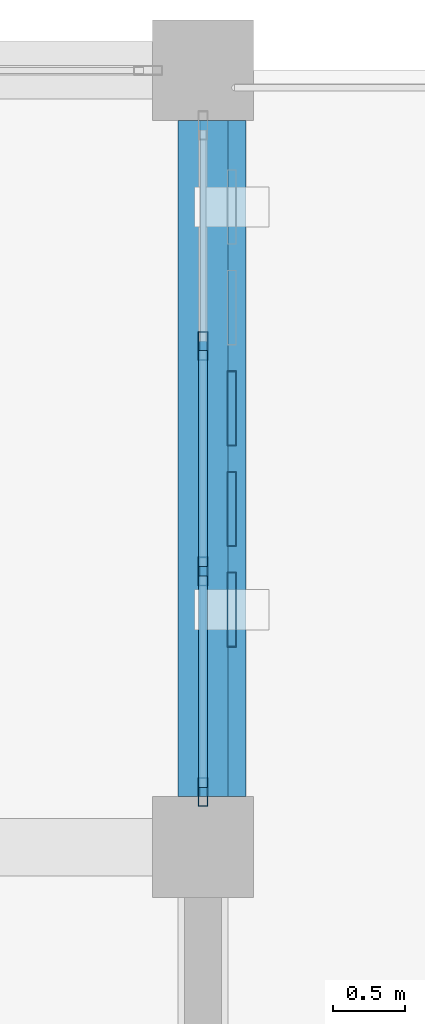
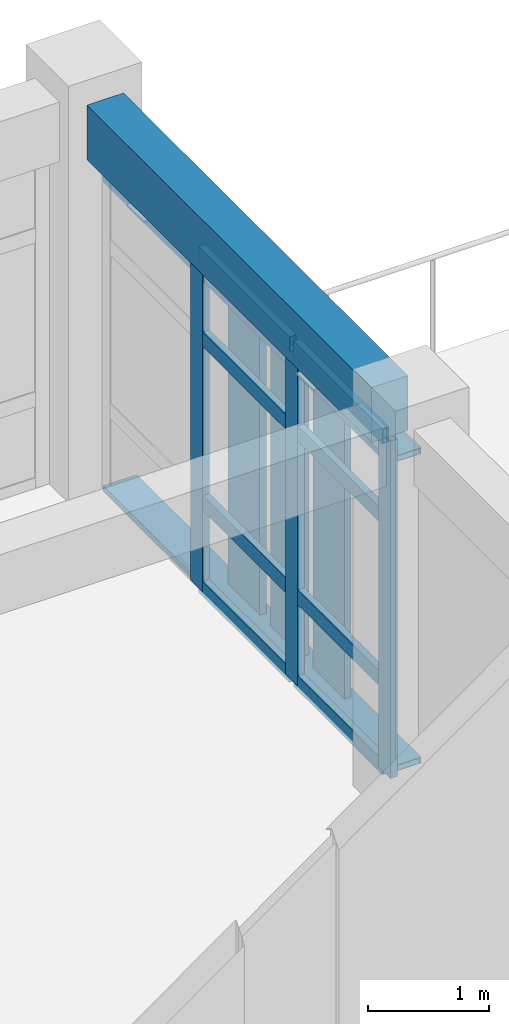
# One storey, part 12 of 22: 16 members, 1 beam, 1 element without a shape of its own.
"""IFC4 building model written with IfcOpenShell, lengths in metres."""

import ifcopenshell
import ifcopenshell.guid

model = None  # the IFC model being written
_history = None  # IfcOwnerHistory: only IFC2X3 demands one
_inside = {}  # id of a spatial element -> (the spatial element, [elements in it])
_under = {}  # id of a project, library or spatial element -> (it, [spatial elements below it])
_declared = {}  # id of a project -> (the project, [libraries it declares])
_typed = {}  # id of a type object -> (the type object, [elements of that type])
_made_of = {}  # id of a material, layer set ... -> (it, [elements and type objects made of it])


def new_model(schema):
    """Start an empty IFC model of exactly this schema.

    Asked for "IFC4X3", IfcOpenShell would pick the latest addendum, in which some entities
    have other attributes; the version numbers below select the first issue.
    IFC2X3 requires an IfcOwnerHistory on every rooted entity: one is made here for all.
    """
    global model, _history
    if schema == "IFC4X3":
        model = ifcopenshell.file(schema_version=(4, 3, 0, 0))
    else:
        model = ifcopenshell.file(schema=schema)
    _inside.clear()
    _under.clear()
    _declared.clear()
    _typed.clear()
    _made_of.clear()
    _history = None
    if model.schema == "IFC2X3":
        org = make("IfcOrganization", Name="unknown")
        user = make(
            "IfcPersonAndOrganization",
            ThePerson=make("IfcPerson", FamilyName="unknown"),
            TheOrganization=org,
        )
        app = make(
            "IfcApplication",
            ApplicationDeveloper=org,
            Version="unknown",
            ApplicationFullName="unknown",
            ApplicationIdentifier="unknown",
        )
        _history = make(
            "IfcOwnerHistory",
            OwningUser=user,
            OwningApplication=app,
            ChangeAction="ADDED",
            CreationDate=0,
        )
    return model


def make(cls, **values):
    """One entity of the class cls with the attributes given. An attribute that is None is left unset."""
    return model.create_entity(
        cls, **{name: value for name, value in values.items() if value is not None}
    )


def rooted(cls, **values):
    """An entity with a GlobalId (a new one), such as an element, a storey or a relation."""
    return make(cls, GlobalId=ifcopenshell.guid.new(), OwnerHistory=_history, **values)


def si_unit(unit_type, name, prefix=None):
    """IfcSIUnit, for example si_unit("LENGTHUNIT", "METRE", prefix="MILLI")."""
    return make("IfcSIUnit", UnitType=unit_type, Prefix=prefix, Name=name)


def assignment(units):
    """IfcUnitAssignment: the units of a project."""
    return None if units is None else make("IfcUnitAssignment", Units=units)


def point(xyz):
    """IfcCartesianPoint."""
    return None if xyz is None else make("IfcCartesianPoint", Coordinates=xyz)


def direction(xyz):
    """IfcDirection."""
    return None if xyz is None else make("IfcDirection", DirectionRatios=xyz)


def frame(location, z_axis=None, x_axis=None):
    """IfcAxis2Placement3D, a coordinate frame: its origin and axes. An axis left out is left unset."""
    return make(
        "IfcAxis2Placement3D",
        Location=point(location),
        Axis=direction(z_axis),
        RefDirection=direction(x_axis),
    )


def frame_2d(location, x_axis=None):
    """IfcAxis2Placement2D, a coordinate frame in the plane: its origin and x axis."""
    return make(
        "IfcAxis2Placement2D", Location=point(location), RefDirection=direction(x_axis)
    )


def origin():
    """The frame at (0, 0, 0) with its axes left unset."""
    return frame((0.0, 0.0, 0.0))


def origin_2d():
    """The frame at (0, 0) in the plane with its x axis left unset."""
    return frame_2d((0.0, 0.0))


def place(relative_to, where):
    """IfcLocalPlacement: puts the frame where relative to a parent placement (None: the world)."""
    return make(
        "IfcLocalPlacement", PlacementRelTo=relative_to, RelativePlacement=where
    )


def context(
    kind, dimensions, precision=None, world=None, true_north=None, identifier=None
):
    """IfcGeometricRepresentationContext, for example the 3D "Model" context."""
    return make(
        "IfcGeometricRepresentationContext",
        ContextIdentifier=identifier,
        ContextType=kind,
        CoordinateSpaceDimension=dimensions,
        Precision=precision,
        WorldCoordinateSystem=world,
        TrueNorth=true_north,
    )


def subcontext(parent, identifier, kind, view, scale=None):
    """IfcGeometricRepresentationSubContext, for example "Body" below "Model"."""
    return make(
        "IfcGeometricRepresentationSubContext",
        ContextIdentifier=identifier,
        ContextType=kind,
        ParentContext=parent,
        TargetScale=scale,
        TargetView=view,
    )


def project(units=None, contexts=None):
    """IfcProject with its units and contexts."""
    return rooted(
        "IfcProject",
        Name="project",
        RepresentationContexts=contexts,
        UnitsInContext=assignment(units),
    )


def spatial(cls, under=None, at=None, **own):
    """A site, building, storey or space (cls), placed at a placement, below another one or the project."""
    s = rooted(cls, ObjectPlacement=at, **own)
    if under is not None:
        _under.setdefault(under.id(), (under, []))[1].append(s)
    return s


def profile(cls, at=None, kind="AREA", **sizes):
    """A parametric profile (cls). Its sizes go by their IFC names, for example OverallWidth=200.0."""
    return make(cls, ProfileType=kind, Position=at, **sizes)


def rectangle(**sizes):
    """IfcRectangleProfileDef."""
    return profile("IfcRectangleProfileDef", **sizes)


def hollow_rectangle(**sizes):
    """IfcRectangleHollowProfileDef."""
    return profile("IfcRectangleHollowProfileDef", **sizes)


def extrude(swept, where, along, depth):
    """IfcExtrudedAreaSolid: the profile swept, set in the frame where, extruded along a direction by depth."""
    return make(
        "IfcExtrudedAreaSolid",
        SweptArea=swept,
        Position=where,
        ExtrudedDirection=direction(along),
        Depth=depth,
    )


def shape(context_of_items, identifier, shape_type, items):
    """IfcShapeRepresentation: the items that make up one representation, for example the "Body"."""
    return make(
        "IfcShapeRepresentation",
        ContextOfItems=context_of_items,
        RepresentationIdentifier=identifier,
        RepresentationType=shape_type,
        Items=items,
    )


def material(Name=None, Category=None):
    """IfcMaterial."""
    return make("IfcMaterial", Name=Name, Category=Category)


def layer(
    of_material, thickness, ventilated=None, Name=None, Category=None, Priority=None
):
    """IfcMaterialLayer: one layer of a wall or slab, of a material (None: an air gap)."""
    return make(
        "IfcMaterialLayer",
        Material=of_material,
        LayerThickness=thickness,
        IsVentilated=ventilated,
        Name=Name,
        Category=Category,
        Priority=Priority,
    )


def layer_set(layers, Name=None):
    """IfcMaterialLayerSet."""
    return make("IfcMaterialLayerSet", MaterialLayers=layers, LayerSetName=Name)


def material_profile(
    of_material, cross_section, Name=None, Category=None, Priority=None
):
    """IfcMaterialProfile: a cross section and its material."""
    return make(
        "IfcMaterialProfile",
        Name=Name,
        Material=of_material,
        Profile=cross_section,
        Priority=Priority,
        Category=Category,
    )


def profile_set(profiles, Name=None, composite=None):
    """IfcMaterialProfileSet."""
    return make(
        "IfcMaterialProfileSet",
        Name=Name,
        MaterialProfiles=profiles,
        CompositeProfile=composite,
    )


def made_of(thing, what):
    """Note that an element or type object is made of a material, layer set ...; save() writes the relation."""
    if what is not None:
        _made_of.setdefault(what.id(), (what, []))[1].append(thing)
    return thing


def type_object(cls, material=None, **own):
    """A type object (cls), such as IfcWallType, which elements share."""
    return made_of(rooted(cls, **own), material)


def element(
    cls,
    number,
    at=None,
    inside=None,
    cuts=None,
    type_object=None,
    material=None,
    context=None,
    identifier="Body",
    shape_type=None,
    held_by="IfcProductDefinitionShape",
    body=None,
    shapes=None,
    **own,
):
    """One element of the class cls, such as IfcWall. Its Tag is "e" and its number.

    at: its placement. inside: the storey or other place that contains it. cuts: it is an
    opening in that element (IfcRelVoidsElement). A single representation is given by context,
    identifier, shape_type and body (its items); several are given by shapes. held_by: the class
    of the entity that holds the representations. save() writes the other relations.
    """
    e = rooted(cls, Tag="e%d" % number, ObjectPlacement=at, **own)
    if body is not None:
        shapes = [shape(context, identifier, shape_type, body)]
    if shapes is not None:
        e.Representation = make(held_by, Representations=shapes)
    if inside is not None:
        _inside.setdefault(inside.id(), (inside, []))[1].append(e)
    if cuts is not None:
        rooted(
            "IfcRelVoidsElement", RelatingBuildingElement=cuts, RelatedOpeningElement=e
        )
    if type_object is not None:
        _typed.setdefault(type_object.id(), (type_object, []))[1].append(e)
    return made_of(e, material)


def aggregate(whole, parts):
    """IfcRelAggregates: a whole, such as a stair, and the parts it consists of."""
    return rooted("IfcRelAggregates", RelatingObject=whole, RelatedObjects=parts)


def save(model, path):
    """Write the relations noted so far, then the file.

    IfcRelAggregates (storeys below a building ...), IfcRelContainedInSpatialStructure (elements
    in a storey), IfcRelDefinesByType, IfcRelAssociatesMaterial and IfcRelDeclares: one each for
    every whole, place, type object, material and project.
    """
    for whole, parts in _under.values():
        aggregate(whole, parts)
    for where, things in _inside.values():
        rooted(
            "IfcRelContainedInSpatialStructure",
            RelatedElements=things,
            RelatingStructure=where,
        )
    for kind, things in _typed.values():
        rooted("IfcRelDefinesByType", RelatedObjects=things, RelatingType=kind)
    for what, things in _made_of.values():
        rooted("IfcRelAssociatesMaterial", RelatedObjects=things, RelatingMaterial=what)
    for by, libraries in _declared.values():
        rooted("IfcRelDeclares", RelatingContext=by, RelatedDefinitions=libraries)
    model.write(path)


model = new_model("IFC4")

# Units and contexts
model_context = context("Model", 3, precision=1e-05, world=origin(), true_north=direction((0.0, 1.0)))
body_context = subcontext(model_context, "Body", "Model", "MODEL_VIEW")
ifc_project = project(units=[si_unit("LENGTHUNIT", "METRE"), si_unit("AREAUNIT", "SQUARE_METRE"), si_unit("VOLUMEUNIT", "CUBIC_METRE"), si_unit("PLANEANGLEUNIT", "RADIAN"), si_unit("MASSUNIT", "GRAM", prefix="KILO")], contexts=[model_context])

# Site, building, storey
site_placement = place(None, origin())
site = spatial("IfcSite", under=ifc_project, at=site_placement, CompositionType="ELEMENT")
building_placement = place(site_placement, origin())
building = spatial("IfcBuilding", under=site, at=building_placement, Name="Krzemoval Escarpment Law Courts", CompositionType="ELEMENT")
storey_placement = place(building_placement, frame((0.0, 0.0, 29.39990234375)))
storey = spatial("IfcBuildingStorey", under=building, at=storey_placement, Name="L06", CompositionType="ELEMENT", Elevation=29.39990234375)

# Beam
ifc_material_1 = material(Name="Concrete C40/50", Category="concrete")
ifc_material_profile_1 = material_profile(ifc_material_1, rectangle(XDim=0.35009765625, YDim=0.550048828125, at=origin_2d()), Name="RCB 350x550")
ifc_profile_set_1 = profile_set([ifc_material_profile_1], Name="Concrete C40/50")
beam_type = type_object("IfcBeamType", Name="BM-RC-350x550", PredefinedType="BEAM", material=ifc_profile_set_1)
beam_placement = place(storey_placement, frame((167.39990234375, 113.75, 3.675048828125), z_axis=(0.0, 1.0, 0.0), x_axis=(-1.0, 0.0, 0.0)))
element("IfcBeam", 1, at=beam_placement, inside=storey, type_object=beam_type, Name="Beam FG-L06-2690", PredefinedType="BEAM", context=body_context, shape_type="SweptSolid", body=[
    extrude(rectangle(XDim=0.35009765625, YDim=0.550048828125, at=origin_2d()), origin(), (0.0, 0.0, 1.0), 4.699951171875),
])

# Curtain wall, members
ifc_material_2 = material(Name="Aluminium 6063-T6", Category="aluminium")
ifc_layer = layer(ifc_material_2, 0.219970703125)
ifc_layer_set = layer_set([ifc_layer], Name="Aluminium 6063-T6")
curtain_wall_type = type_object("IfcCurtainWallType", Name="CW-CHMB-4200", PredefinedType="USERDEFINED", material=ifc_layer_set)
curtain_wall_placement = place(storey_placement, origin())
curtain_wall = element("IfcCurtainWall", 2, at=curtain_wall_placement, inside=storey, type_object=curtain_wall_type, Name="Unitised Curtain Wall FCW-L06-153", ObjectType="UNITISED_CURTAIN_WALL", PredefinedType="USERDEFINED")
ifc_material_3 = material(Name="Aluminium 6063-T6", Category="aluminium")
ifc_material_profile_2 = material_profile(ifc_material_3, hollow_rectangle(XDim=0.06494140625, YDim=0.199951171875, WallThickness=0.00439453125, at=origin_2d()), Name="ALU M65x200")
ifc_profile_set_2 = profile_set([ifc_material_profile_2], Name="Aluminium 6063-T6")
member_type_1 = type_object("IfcMemberType", Name="CWM-65x200", PredefinedType="MULLION", material=ifc_profile_set_2)
member_1_placement = place(storey_placement, frame((167.39990234375, 116.88330078125, 0.0), z_axis=(0.0, 0.0, 1.0), x_axis=(1.0, 0.0, 0.0)))
member_1 = element("IfcMember", 3, at=member_1_placement, type_object=member_type_1, Name="FCW-L06-153 mullion 2", PredefinedType="MULLION", context=body_context, shape_type="SweptSolid", body=[
    extrude(hollow_rectangle(XDim=0.06494140625, YDim=0.199951171875, WallThickness=0.00439453125, at=origin_2d()), origin(), (0.0, 0.0, 1.0), 3.400146484375),
])
member_2_placement = place(storey_placement, frame((167.39990234375, 115.316650390625, 0.0), z_axis=(0.0, 0.0, 1.0), x_axis=(1.0, 0.0, 0.0)))
member_2 = element("IfcMember", 4, at=member_2_placement, type_object=member_type_1, Name="FCW-L06-153 mullion 3", PredefinedType="MULLION", context=body_context, shape_type="SweptSolid", body=[
    extrude(hollow_rectangle(XDim=0.06494140625, YDim=0.199951171875, WallThickness=0.00439453125, at=origin_2d()), origin(), (0.0, 0.0, 1.0), 3.400146484375),
])
member_3_placement = place(storey_placement, frame((167.39990234375, 113.782470703125, 0.0), z_axis=(0.0, 0.0, 1.0), x_axis=(1.0, 0.0, 0.0)))
member_3 = element("IfcMember", 5, at=member_3_placement, type_object=member_type_1, Name="FCW-L06-153 mullion 4", PredefinedType="MULLION", context=body_context, shape_type="SweptSolid", body=[
    extrude(hollow_rectangle(XDim=0.06494140625, YDim=0.199951171875, WallThickness=0.00439453125, at=origin_2d()), origin(), (0.0, 0.0, 1.0), 3.400146484375),
])
ifc_material_4 = material(Name="Aluminium 6063-T6", Category="aluminium")
ifc_material_profile_3 = material_profile(ifc_material_4, hollow_rectangle(XDim=0.06494140625, YDim=0.14990234375, WallThickness=0.00439453125, at=origin_2d()), Name="ALU T65x150")
ifc_profile_set_3 = profile_set([ifc_material_profile_3], Name="Aluminium 6063-T6")
member_type_2 = type_object("IfcMemberType", Name="CWT-65x150", PredefinedType="USERDEFINED", material=ifc_profile_set_3)
member_4_placement = place(storey_placement, frame((167.39990234375, 116.850830078125, 0.03271484375), z_axis=(0.0, -1.0, 0.0), x_axis=(1.0, 0.0, 0.0)))
member_4 = element("IfcMember", 6, at=member_4_placement, type_object=member_type_2, Name="FCW-L06-153 transom 2.1", ObjectType="TRANSOM", PredefinedType="USERDEFINED", context=body_context, shape_type="SweptSolid", body=[
    extrude(hollow_rectangle(XDim=0.06494140625, YDim=0.14990234375, WallThickness=0.00439453125, at=origin_2d()), origin(), (0.0, 0.0, 1.0), 1.501708984375),
])
member_5_placement = place(storey_placement, frame((167.39990234375, 116.850830078125, 0.900146484375), z_axis=(0.0, -1.0, 0.0), x_axis=(1.0, 0.0, 0.0)))
member_5 = element("IfcMember", 7, at=member_5_placement, type_object=member_type_2, Name="FCW-L06-153 transom 2.2", ObjectType="TRANSOM", PredefinedType="USERDEFINED", context=body_context, shape_type="SweptSolid", body=[
    extrude(hollow_rectangle(XDim=0.06494140625, YDim=0.14990234375, WallThickness=0.00439453125, at=origin_2d()), origin(), (0.0, 0.0, 1.0), 1.501708984375),
])
member_6_placement = place(storey_placement, frame((167.39990234375, 116.850830078125, 2.550048828125), z_axis=(0.0, -1.0, 0.0), x_axis=(1.0, 0.0, 0.0)))
member_6 = element("IfcMember", 8, at=member_6_placement, type_object=member_type_2, Name="FCW-L06-153 transom 2.3", ObjectType="TRANSOM", PredefinedType="USERDEFINED", context=body_context, shape_type="SweptSolid", body=[
    extrude(hollow_rectangle(XDim=0.06494140625, YDim=0.14990234375, WallThickness=0.00439453125, at=origin_2d()), origin(), (0.0, 0.0, 1.0), 1.501708984375),
])
member_7_placement = place(storey_placement, frame((167.39990234375, 116.850830078125, 3.36767578125), z_axis=(0.0, -1.0, 0.0), x_axis=(1.0, 0.0, 0.0)))
member_7 = element("IfcMember", 9, at=member_7_placement, type_object=member_type_2, Name="FCW-L06-153 transom 2.4", ObjectType="TRANSOM", PredefinedType="USERDEFINED", context=body_context, shape_type="SweptSolid", body=[
    extrude(hollow_rectangle(XDim=0.06494140625, YDim=0.14990234375, WallThickness=0.00439453125, at=origin_2d()), origin(), (0.0, 0.0, 1.0), 1.501708984375),
])
member_8_placement = place(storey_placement, frame((167.39990234375, 115.2841796875, 0.03271484375), z_axis=(0.0, -1.0, 0.0), x_axis=(1.0, 0.0, 0.0)))
member_8 = element("IfcMember", 10, at=member_8_placement, type_object=member_type_2, Name="FCW-L06-153 transom 3.1", ObjectType="TRANSOM", PredefinedType="USERDEFINED", context=body_context, shape_type="SweptSolid", body=[
    extrude(hollow_rectangle(XDim=0.06494140625, YDim=0.14990234375, WallThickness=0.00439453125, at=origin_2d()), origin(), (0.0, 0.0, 1.0), 1.46923828125),
])
member_9_placement = place(storey_placement, frame((167.39990234375, 115.2841796875, 0.900146484375), z_axis=(0.0, -1.0, 0.0), x_axis=(1.0, 0.0, 0.0)))
member_9 = element("IfcMember", 11, at=member_9_placement, type_object=member_type_2, Name="FCW-L06-153 transom 3.2", ObjectType="TRANSOM", PredefinedType="USERDEFINED", context=body_context, shape_type="SweptSolid", body=[
    extrude(hollow_rectangle(XDim=0.06494140625, YDim=0.14990234375, WallThickness=0.00439453125, at=origin_2d()), origin(), (0.0, 0.0, 1.0), 1.46923828125),
])
member_10_placement = place(storey_placement, frame((167.39990234375, 115.2841796875, 2.550048828125), z_axis=(0.0, -1.0, 0.0), x_axis=(1.0, 0.0, 0.0)))
member_10 = element("IfcMember", 12, at=member_10_placement, type_object=member_type_2, Name="FCW-L06-153 transom 3.3", ObjectType="TRANSOM", PredefinedType="USERDEFINED", context=body_context, shape_type="SweptSolid", body=[
    extrude(hollow_rectangle(XDim=0.06494140625, YDim=0.14990234375, WallThickness=0.00439453125, at=origin_2d()), origin(), (0.0, 0.0, 1.0), 1.46923828125),
])
member_11_placement = place(storey_placement, frame((167.39990234375, 115.2841796875, 3.36767578125), z_axis=(0.0, -1.0, 0.0), x_axis=(1.0, 0.0, 0.0)))
member_11 = element("IfcMember", 13, at=member_11_placement, type_object=member_type_2, Name="FCW-L06-153 transom 3.4", ObjectType="TRANSOM", PredefinedType="USERDEFINED", context=body_context, shape_type="SweptSolid", body=[
    extrude(hollow_rectangle(XDim=0.06494140625, YDim=0.14990234375, WallThickness=0.00439453125, at=origin_2d()), origin(), (0.0, 0.0, 1.0), 1.46923828125),
])
aggregate(curtain_wall, [member_1, member_2, member_3, member_4, member_5, member_6, member_7, member_8, member_9, member_10, member_11])

# Members
ifc_material_5 = material(Name="Anodised Aluminium Alloy 6063-T6", Category="aluminium")
ifc_material_profile_4 = material_profile(ifc_material_5, hollow_rectangle(XDim=0.06005859375, YDim=0.320068359375, WallThickness=0.00390625, at=origin_2d()), Name="ALU LVR 60x320")
ifc_profile_set_4 = profile_set([ifc_material_profile_4], Name="Anodised Aluminium Alloy 6063-T6")
member_type_3 = type_object("IfcMemberType", Name="LVR-ALU-320", PredefinedType="USERDEFINED", material=ifc_profile_set_4)
for number, where, z_axis, x_axis, name in (
    (14, (167.5400390625, 118.449951171875, 0.030029296875), (0.0, -1.0, 0.0), (0.0, 0.0, 1.0), "Sunshade Support Rail FSR-L06-1001"),
    (15, (167.5400390625, 118.449951171875, 3.150146484375), (0.0, -1.0, 0.0), (0.0, 0.0, 1.0), "Sunshade Support Rail FSR-L06-1002"),
):
    element("IfcMember", number, at=place(storey_placement, frame(where, z_axis=z_axis, x_axis=x_axis)), inside=storey, type_object=member_type_3, Name=name, ObjectType="SUNSHADE_LOUVRE", PredefinedType="USERDEFINED", context=body_context, shape_type="SweptSolid", body=[
        extrude(hollow_rectangle(XDim=0.06005859375, YDim=0.320068359375, WallThickness=0.00390625, at=origin_2d()), origin(), (0.0, 0.0, 1.0), 4.699951171875),
    ])
ifc_material_6 = material(Name="Anodised Aluminium Alloy 6063-T6", Category="aluminium")
ifc_material_profile_5 = material_profile(ifc_material_6, hollow_rectangle(XDim=0.06494140625, YDim=0.52001953125, WallThickness=0.00439453125, at=origin_2d()), Name="ALU LVR 65x520")
ifc_profile_set_5 = profile_set([ifc_material_profile_5], Name="Anodised Aluminium Alloy 6063-T6")
member_type_4 = type_object("IfcMemberType", Name="LVR-ALU-520", PredefinedType="USERDEFINED", material=ifc_profile_set_5)
for number, where, z_axis, x_axis, name in (
    (16, (167.60009765625, 116.449951171875, 0.06005859375), (0.0, 0.0, 1.0), (1.0, 0.0, 0.0), "Sunshade Louvre Fin FLV-L06-1005"),
    (17, (167.60009765625, 115.75, 0.06005859375), (0.0, 0.0, 1.0), (1.0, 0.0, 0.0), "Sunshade Louvre Fin FLV-L06-1006"),
    (18, (167.60009765625, 115.050048828125, 0.06005859375), (0.0, 0.0, 1.0), (1.0, 0.0, 0.0), "Sunshade Louvre Fin FLV-L06-1007"),
):
    element("IfcMember", number, at=place(storey_placement, frame(where, z_axis=z_axis, x_axis=x_axis)), inside=storey, type_object=member_type_4, Name=name, ObjectType="SUNSHADE_LOUVRE", PredefinedType="USERDEFINED", context=body_context, shape_type="SweptSolid", body=[
        extrude(hollow_rectangle(XDim=0.06494140625, YDim=0.52001953125, WallThickness=0.00439453125, at=origin_2d()), origin(), (0.0, 0.0, 1.0), 3.340087890625),
    ])

save(model, "model.ifc")
